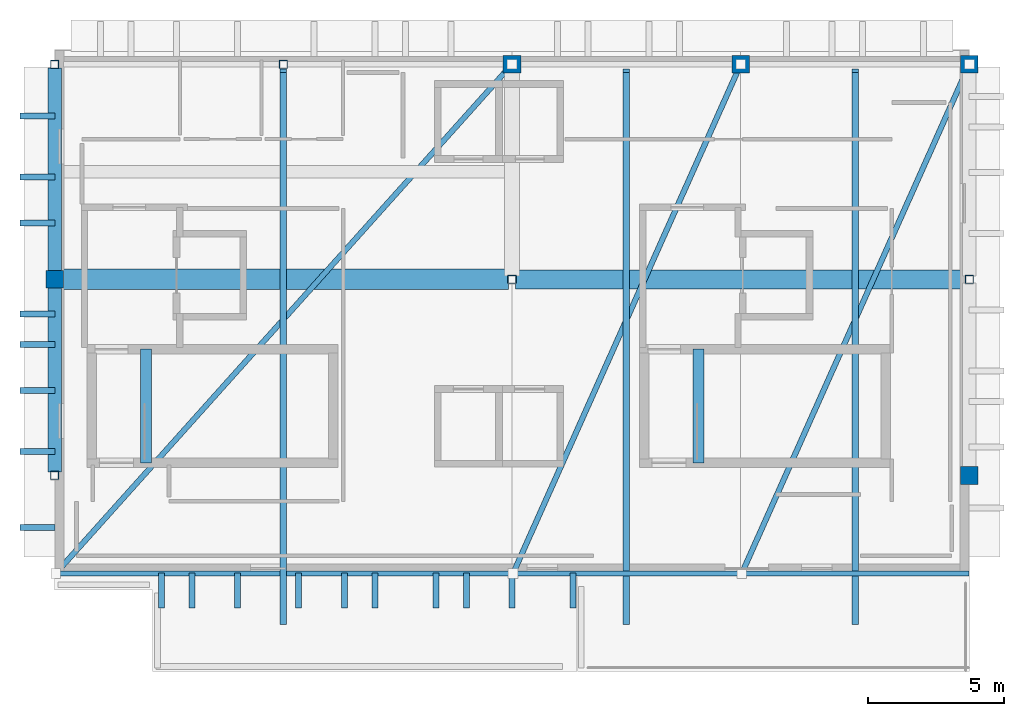
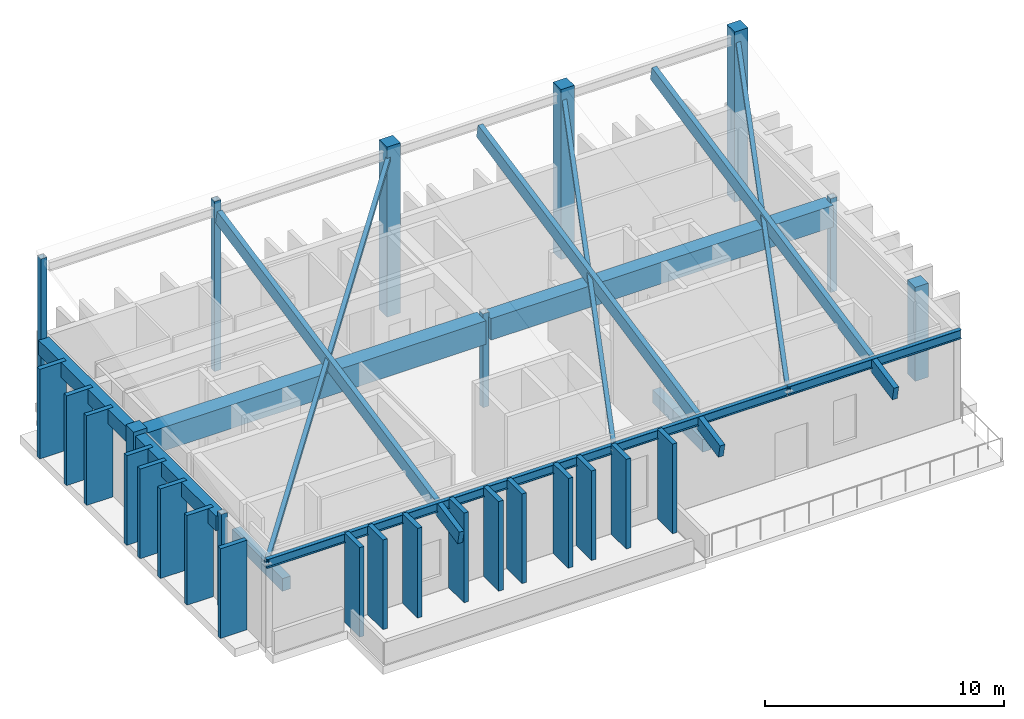
# One storey, part 1 of 5: 21 members, 12 beams, 10 columns.
"""IFC4 building model written with IfcOpenShell, lengths in metres."""

from ifc_helpers import new_model, si_unit, direction, frame, origin, origin_2d, place, context, subcontext, project, spatial, rectangle, hollow_rectangle, i_section, extrude, material, material_profile, profile_set, type_object, element, save


model = new_model("IFC4")

# Units and contexts
model_context = context("Model", 3, precision=1e-05, world=origin(), true_north=direction((0.0, 1.0)))
body_context = subcontext(model_context, "Body", "Model", "MODEL_VIEW")
ifc_project = project(units=[si_unit("LENGTHUNIT", "METRE"), si_unit("AREAUNIT", "SQUARE_METRE"), si_unit("VOLUMEUNIT", "CUBIC_METRE"), si_unit("PLANEANGLEUNIT", "RADIAN"), si_unit("MASSUNIT", "GRAM", prefix="KILO")], contexts=[model_context])

# Site, building, storey
site_placement = place(None, origin())
site = spatial("IfcSite", under=ifc_project, at=site_placement, CompositionType="ELEMENT")
building_placement = place(site_placement, origin())
building = spatial("IfcBuilding", under=site, at=building_placement, Name="Quendrovan Civic Courthouse", CompositionType="ELEMENT")
storey_placement = place(building_placement, frame((0.0, 0.0, 44.699951171875)))
storey = spatial("IfcBuildingStorey", under=building, at=storey_placement, Name="L10", CompositionType="ELEMENT", Elevation=44.699951171875)

# Columns
ifc_material_1 = material(Name="Concrete C45/55", Category="concrete")
ifc_material_profile_1 = material_profile(ifc_material_1, rectangle(XDim=0.64990234375, YDim=0.64990234375, at=origin_2d()), Name="RC-COL-650x650")
ifc_profile_set_1 = profile_set([ifc_material_profile_1], Name="Concrete C45/55")
column_type_1 = type_object("IfcColumnType", Name="COL-RC650", PredefinedType="COLUMN", material=ifc_profile_set_1)
column_1_placement = place(storey_placement, frame((33.60009765625, 102.0, 0.0), z_axis=(0.0, 0.0, 1.0), x_axis=(1.0, 0.0, 0.0)))
element("IfcColumn", 1, at=column_1_placement, inside=storey, type_object=column_type_1, Name="L10 Column 5-P", PredefinedType="COLUMN", context=body_context, shape_type="SweptSolid", body=[
    extrude(rectangle(XDim=0.64990234375, YDim=0.64990234375, at=origin_2d()), origin(), (0.0, 0.0, 1.0), 4.800048828125),
])
for number, where, z_axis, x_axis, name in (
    (2, (50.39990234375, 109.89990234375, 0.0), (0.0, 0.0, 1.0), (1.0, 0.0, 0.0), "L10 Column 7-Q"),
    (3, (58.800048828125, 109.89990234375, 0.0), (0.0, 0.0, 1.0), (1.0, 0.0, 0.0), "L10 Column 8-Q"),
):
    element("IfcColumn", number, at=place(storey_placement, frame(where, z_axis=z_axis, x_axis=x_axis)), inside=storey, type_object=column_type_1, Name=name, PredefinedType="COLUMN", context=body_context, shape_type="SweptSolid", body=[
        extrude(rectangle(XDim=0.64990234375, YDim=0.64990234375, at=origin_2d()), origin(), (0.0, 0.0, 1.0), 8.689453125),
    ])
column_2_placement = place(storey_placement, frame((67.199951171875, 94.800048828125, 0.0), z_axis=(0.0, 0.0, 1.0), x_axis=(1.0, 0.0, 0.0)))
element("IfcColumn", 4, at=column_2_placement, inside=storey, type_object=column_type_1, Name="L10 Column 9-N", PredefinedType="COLUMN", context=body_context, shape_type="SweptSolid", body=[
    extrude(rectangle(XDim=0.64990234375, YDim=0.64990234375, at=origin_2d()), origin(), (0.0, 0.0, 1.0), 4.800048828125),
])
column_3_placement = place(storey_placement, frame((67.199951171875, 109.89990234375, 0.0), z_axis=(0.0, 0.0, 1.0), x_axis=(1.0, 0.0, 0.0)))
element("IfcColumn", 5, at=column_3_placement, inside=storey, type_object=column_type_1, Name="L10 Column 9-Q", PredefinedType="COLUMN", context=body_context, shape_type="SweptSolid", body=[
    extrude(rectangle(XDim=0.64990234375, YDim=0.64990234375, at=origin_2d()), origin(), (0.0, 0.0, 1.0), 8.689453125),
])
ifc_material_2 = material(Name="Steel ASTM A500 Grade C", Category="steel")
ifc_material_profile_2 = material_profile(ifc_material_2, hollow_rectangle(XDim=0.300048828125, YDim=0.300048828125, WallThickness=0.011962890625, at=origin_2d()), Name="HSS300x300x12")
ifc_profile_set_2 = profile_set([ifc_material_profile_2], Name="Steel ASTM A500 Grade C")
column_type_2 = type_object("IfcColumnType", Name="COL-STL-HSS300S", PredefinedType="COLUMN", material=ifc_profile_set_2)
column_4_placement = place(storey_placement, frame((33.60009765625, 94.800048828125, 0.0), z_axis=(0.0, 0.0, 1.0), x_axis=(1.0, 0.0, 0.0)))
element("IfcColumn", 6, at=column_4_placement, inside=storey, type_object=column_type_2, Name="L10 Column 5-N", PredefinedType="COLUMN", context=body_context, shape_type="SweptSolid", body=[
    extrude(hollow_rectangle(XDim=0.300048828125, YDim=0.300048828125, WallThickness=0.011962890625, at=origin_2d()), origin(), (0.0, 0.0, 1.0), 4.800048828125),
])
for number, where, z_axis, x_axis, name in (
    (7, (33.60009765625, 109.89990234375, 0.0), (0.0, 0.0, 1.0), (1.0, 0.0, 0.0), "L10 Column 5-Q"),
    (8, (42.0, 109.89990234375, 0.0), (0.0, 0.0, 1.0), (1.0, 0.0, 0.0), "L10 Column 6-Q"),
):
    element("IfcColumn", number, at=place(storey_placement, frame(where, z_axis=z_axis, x_axis=x_axis)), inside=storey, type_object=column_type_2, Name=name, PredefinedType="COLUMN", context=body_context, shape_type="SweptSolid", body=[
        extrude(hollow_rectangle(XDim=0.300048828125, YDim=0.300048828125, WallThickness=0.011962890625, at=origin_2d()), origin(), (0.0, 0.0, 1.0), 8.689453125),
    ])
for number, where, z_axis, x_axis, name in (
    (9, (50.39990234375, 102.0, 0.0), (0.0, 0.0, 1.0), (1.0, 0.0, 0.0), "L10 Column 7-P"),
    (10, (67.199951171875, 102.0, 0.0), (0.0, 0.0, 1.0), (1.0, 0.0, 0.0), "L10 Column 9-P"),
):
    element("IfcColumn", number, at=place(storey_placement, frame(where, z_axis=z_axis, x_axis=x_axis)), inside=storey, type_object=column_type_2, Name=name, PredefinedType="COLUMN", context=body_context, shape_type="SweptSolid", body=[
        extrude(hollow_rectangle(XDim=0.300048828125, YDim=0.300048828125, WallThickness=0.011962890625, at=origin_2d()), origin(), (0.0, 0.0, 1.0), 4.800048828125),
    ])

# Beams
ifc_material_3 = material(Name="Western Red Cedar Glulam GL28h", Category="wood")
ifc_material_profile_3 = material_profile(ifc_material_3, rectangle(XDim=0.239990234375, YDim=0.679931640625, at=origin_2d()), Name="GL28H-240x680")
ifc_profile_set_3 = profile_set([ifc_material_profile_3], Name="Western Red Cedar Glulam GL28h")
beam_type_1 = type_object("IfcBeamType", Name="BM-GL28-680", PredefinedType="BEAM", material=ifc_profile_set_3)
for number, where, z_axis, x_axis, name in (
    (11, (42.0, 89.39990234375, 3.82861328125), (0.0, 0.980091618046, 0.198545763583), (-1.0, 0.0, 0.0), "L10 Cedar Glulam Roof Rafter Outrigger 1"),
    (12, (54.60009765625, 89.39990234375, 3.82861328125), (0.0, 0.980091618046, 0.198545763583), (-1.0, 0.0, 0.0), "L10 Cedar Glulam Roof Rafter Outrigger 2"),
    (13, (63.0, 89.39990234375, 3.82861328125), (0.0, 0.980091618046, 0.198545763583), (-1.0, 0.0, 0.0), "L10 Cedar Glulam Roof Rafter Outrigger 3"),
):
    element("IfcBeam", number, at=place(storey_placement, frame(where, z_axis=z_axis, x_axis=x_axis)), inside=storey, type_object=beam_type_1, Name=name, PredefinedType="BEAM", context=body_context, shape_type="SweptSolid", body=[
        extrude(rectangle(XDim=0.239990234375, YDim=0.679931640625, at=origin_2d()), origin(), (0.0, 0.0, 1.0), 20.671630859375),
    ])
ifc_material_4 = material(Name="Post-tensioned concrete C50/60", Category="concrete")
ifc_material_profile_4 = material_profile(ifc_material_4, rectangle(XDim=0.699951171875, YDim=1.10009765625, at=origin_2d()), Name="PT-GIRD-700x1100")
ifc_profile_set_4 = profile_set([ifc_material_profile_4], Name="Post-tensioned concrete C50/60")
beam_type_2 = type_object("IfcBeamType", Name="BM-PT1100", PredefinedType="BEAM", material=ifc_profile_set_4)
beam_1_placement = place(storey_placement, frame((50.530029296875, 102.0, 4.030029296875), z_axis=(1.0, 0.0, 0.0), x_axis=(0.0, 1.0, 0.0)))
element("IfcBeam", 14, at=beam_1_placement, inside=storey, type_object=beam_type_2, Name="L10 Girder X1197", PredefinedType="BEAM", context=body_context, shape_type="SweptSolid", body=[
    extrude(rectangle(XDim=0.699951171875, YDim=1.10009765625, at=origin_2d()), origin(), (0.0, 0.0, 1.0), 16.5400390625),
])
ifc_material_profile_5 = material_profile(ifc_material_4, rectangle(XDim=0.75, YDim=1.199951171875, at=origin_2d()), Name="PT-GIRD-750x1200")
ifc_profile_set_5 = profile_set([ifc_material_profile_5], Name="Post-tensioned concrete C50/60")
beam_type_3 = type_object("IfcBeamType", Name="BM-PT1200", PredefinedType="BEAM", material=ifc_profile_set_5)
beam_2_placement = place(storey_placement, frame((33.905029296875, 102.0, 3.97998046875), z_axis=(1.0, 0.0, 0.0), x_axis=(0.0, 1.0, 0.0)))
element("IfcBeam", 15, at=beam_2_placement, inside=storey, type_object=beam_type_3, Name="L10 Girder X1196", PredefinedType="BEAM", context=body_context, shape_type="SweptSolid", body=[
    extrude(rectangle(XDim=0.75, YDim=1.199951171875, at=origin_2d()), origin(), (0.0, 0.0, 1.0), 16.364990234375),
])
ifc_material_5 = material(Name="Concrete C40/50", Category="concrete")
ifc_material_profile_6 = material_profile(ifc_material_5, rectangle(XDim=0.39990234375, YDim=0.64990234375, at=origin_2d()), Name="RC-BM-400x650")
ifc_profile_set_6 = profile_set([ifc_material_profile_6], Name="Concrete C40/50")
beam_type_4 = type_object("IfcBeamType", Name="BM-RC650", PredefinedType="JOIST", material=ifc_profile_set_6)
for number, where, z_axis, x_axis, name in (
    (16, (36.949951171875, 95.25, -0.324951171875), (0.0, 1.0, 0.0), (-1.0, 0.0, 0.0), "L10 Stair ST1 Landing Trimmer Beam"),
    (17, (57.25, 95.25, -0.324951171875), (0.0, 1.0, 0.0), (-1.0, 0.0, 0.0), "L10 Stair ST2 Landing Trimmer Beam"),
):
    element("IfcBeam", number, at=place(storey_placement, frame(where, z_axis=z_axis, x_axis=x_axis)), inside=storey, type_object=beam_type_4, Name=name, PredefinedType="JOIST", context=body_context, shape_type="SweptSolid", body=[
        extrude(rectangle(XDim=0.39990234375, YDim=0.64990234375, at=origin_2d()), origin(), (0.0, 0.0, 1.0), 4.199951171875),
    ])
ifc_material_profile_7 = material_profile(ifc_material_5, rectangle(XDim=0.5, YDim=0.75, at=origin_2d()), Name="RC-BM-500x750")
ifc_profile_set_7 = profile_set([ifc_material_profile_7], Name="Concrete C40/50")
beam_type_5 = type_object("IfcBeamType", Name="BM-RC750", PredefinedType="SPANDREL", material=ifc_profile_set_7)
beam_3_placement = place(storey_placement, frame((33.60009765625, 94.929931640625, 4.205078125), z_axis=(0.0, 1.0, 0.0), x_axis=(-1.0, 0.0, 0.0)))
element("IfcBeam", 18, at=beam_3_placement, inside=storey, type_object=beam_type_5, Name="L10 Girder Y1198", PredefinedType="SPANDREL", context=body_context, shape_type="SweptSolid", body=[
    extrude(rectangle(XDim=0.5, YDim=0.75, at=origin_2d()), origin(), (0.0, 0.0, 1.0), 6.76513671875),
])
beam_4_placement = place(storey_placement, frame((33.60009765625, 102.304931640625, 4.205078125), z_axis=(0.0, 1.0, 0.0), x_axis=(-1.0, 0.0, 0.0)))
element("IfcBeam", 19, at=beam_4_placement, inside=storey, type_object=beam_type_5, Name="L10 Girder Y1199", PredefinedType="SPANDREL", context=body_context, shape_type="SweptSolid", body=[
    extrude(rectangle(XDim=0.5, YDim=0.75, at=origin_2d()), origin(), (0.0, 0.0, 1.0), 7.465087890625),
])
ifc_material_6 = material(Name="Steel ASTM A992 Grade 50", Category="steel")
ifc_material_profile_8 = material_profile(ifc_material_6, i_section(OverallWidth=0.18994140625, OverallDepth=0.45703125, WebThickness=0.009033203125, FlangeThickness=0.014404296875, at=origin_2d()), Name="W460x74")
ifc_profile_set_8 = profile_set([ifc_material_profile_8], Name="Steel ASTM A992 Grade 50")
beam_type_6 = type_object("IfcBeamType", Name="BM-STL-W460", PredefinedType="BEAM", material=ifc_profile_set_8)
beam_5_placement = place(storey_placement, frame((33.6201171875, 91.199951171875, 4.3515625), z_axis=(1.0, 0.0, 0.0), x_axis=(0.0, 1.0, 0.0)))
element("IfcBeam", 20, at=beam_5_placement, inside=storey, type_object=beam_type_6, Name="L10 Roof Eave Beam 1", PredefinedType="BEAM", context=body_context, shape_type="SweptSolid", body=[
    extrude(i_section(OverallWidth=0.18994140625, OverallDepth=0.45703125, WebThickness=0.009033203125, FlangeThickness=0.014404296875, at=origin_2d()), origin(), (0.0, 0.0, 1.0), 16.759765625),
])
beam_6_placement = place(storey_placement, frame((50.419921875, 91.199951171875, 4.3515625), z_axis=(1.0, 0.0, 0.0), x_axis=(0.0, 1.0, 0.0)))
element("IfcBeam", 21, at=beam_6_placement, inside=storey, type_object=beam_type_6, Name="L10 Roof Eave Beam 2", PredefinedType="BEAM", context=body_context, shape_type="SweptSolid", body=[
    extrude(i_section(OverallWidth=0.18994140625, OverallDepth=0.45703125, WebThickness=0.009033203125, FlangeThickness=0.014404296875, at=origin_2d()), origin(), (0.0, 0.0, 1.0), 8.360107421875),
])
beam_7_placement = place(storey_placement, frame((58.820068359375, 91.199951171875, 4.3515625), z_axis=(1.0, 0.0, 0.0), x_axis=(0.0, 1.0, 0.0)))
element("IfcBeam", 22, at=beam_7_placement, inside=storey, type_object=beam_type_6, Name="L10 Roof Eave Beam 3", PredefinedType="BEAM", context=body_context, shape_type="SweptSolid", body=[
    extrude(i_section(OverallWidth=0.18994140625, OverallDepth=0.45703125, WebThickness=0.009033203125, FlangeThickness=0.014404296875, at=origin_2d()), origin(), (0.0, 0.0, 1.0), 8.35986328125),
])

# Members
ifc_material_profile_9 = material_profile(ifc_material_2, hollow_rectangle(XDim=0.199951171875, YDim=0.199951171875, WallThickness=0.010009765625, at=origin_2d()), Name="HSS200x200x10")
ifc_profile_set_9 = profile_set([ifc_material_profile_9], Name="Steel ASTM A500 Grade C")
member_type_1 = type_object("IfcMemberType", Name="MEM-BRC-HSS200", PredefinedType="BRACE", material=ifc_profile_set_9)
member_placement = place(storey_placement, frame((33.639892578125, 91.199951171875, 4.3515625), z_axis=(0.660183125325, 0.736598151237, 0.146906108209), x_axis=(-0.744677574351, 0.667424385425, 0.0)))
element("IfcMember", 23, at=member_placement, inside=storey, type_object=member_type_1, Name="L10 Roof Diagonal Brace 1", PredefinedType="BRACE", context=body_context, shape_type="SweptSolid", body=[
    extrude(hollow_rectangle(XDim=0.199951171875, YDim=0.199951171875, WallThickness=0.010009765625, at=origin_2d()), origin(), (0.0, 0.0, 1.0), 25.386962890625),
])
for number, where, z_axis, x_axis, name in (
    (24, (50.43994140625, 91.199951171875, 4.3515625), (0.401534602153, 0.898155618723, 0.179126904258), (-0.912921228057, 0.408135800148, 0.0), "L10 Roof Diagonal Brace 2"),
    (25, (58.840087890625, 91.199951171875, 4.3515625), (0.401524766638, 0.898159847575, 0.179127747654), (-0.912925668924, 0.40812586664, 0.0), "L10 Roof Diagonal Brace 3"),
):
    element("IfcMember", number, at=place(storey_placement, frame(where, z_axis=z_axis, x_axis=x_axis)), inside=storey, type_object=member_type_1, Name=name, PredefinedType="BRACE", context=body_context, shape_type="SweptSolid", body=[
        extrude(hollow_rectangle(XDim=0.199951171875, YDim=0.199951171875, WallThickness=0.010009765625, at=origin_2d()), origin(), (0.0, 0.0, 1.0), 20.8203125),
    ])
ifc_material_7 = material(Name="Precast concrete C45/55", Category="concrete")
ifc_material_profile_10 = material_profile(ifc_material_7, rectangle(XDim=0.219970703125, YDim=1.280029296875, at=origin_2d()), Name="PC-FIN-220x1280")
ifc_profile_set_10 = profile_set([ifc_material_profile_10], Name="Precast concrete C45/55")
member_type_2 = type_object("IfcMemberType", Name="MEM-PC-FIN1280", PredefinedType="USERDEFINED", material=ifc_profile_set_10)
for number, where, z_axis, x_axis, name in (
    (26, (52.639892578125, 90.568115234375, 0.0), (0.0, 0.0, 1.0), (-1.0, 0.0, 0.0), "L10 Precast Concrete Facade Fin 0274"),
    (27, (50.39990234375, 90.568115234375, 0.0), (0.0, 0.0, 1.0), (-1.0, 0.0, 0.0), "L10 Precast Concrete Facade Fin 0275"),
    (28, (48.719970703125, 90.568115234375, 0.0), (0.0, 0.0, 1.0), (-1.0, 0.0, 0.0), "L10 Precast Concrete Facade Fin 0276"),
    (29, (47.60009765625, 90.568115234375, 0.0), (0.0, 0.0, 1.0), (-1.0, 0.0, 0.0), "L10 Precast Concrete Facade Fin 0277"),
    (30, (45.360107421875, 90.568115234375, 0.0), (0.0, 0.0, 1.0), (-1.0, 0.0, 0.0), "L10 Precast Concrete Facade Fin 0278"),
    (31, (44.239990234375, 90.568115234375, 0.0), (0.0, 0.0, 1.0), (-1.0, 0.0, 0.0), "L10 Precast Concrete Facade Fin 0279"),
    (32, (42.56005859375, 90.568115234375, 0.0), (0.0, 0.0, 1.0), (-1.0, 0.0, 0.0), "L10 Precast Concrete Facade Fin 0280"),
    (33, (40.320068359375, 90.568115234375, 0.0), (0.0, 0.0, 1.0), (-1.0, 0.0, 0.0), "L10 Precast Concrete Facade Fin 0281"),
    (34, (38.639892578125, 90.568115234375, 0.0), (0.0, 0.0, 1.0), (-1.0, 0.0, 0.0), "L10 Precast Concrete Facade Fin 0282"),
    (35, (37.52001953125, 90.568115234375, 0.0), (0.0, 0.0, 1.0), (-1.0, 0.0, 0.0), "L10 Precast Concrete Facade Fin 0283"),
    (36, (32.968017578125, 92.8798828125, 0.0), (0.0, 0.0, 1.0), (0.0, 1.0, 0.0), "L10 Precast Concrete Facade Fin 0284"),
    (37, (32.968017578125, 95.679931640625, 0.0), (0.0, 0.0, 1.0), (0.0, 1.0, 0.0), "L10 Precast Concrete Facade Fin 0285"),
    (38, (32.968017578125, 97.919921875, 0.0), (0.0, 0.0, 1.0), (0.0, 1.0, 0.0), "L10 Precast Concrete Facade Fin 0286"),
    (39, (32.968017578125, 99.60009765625, 0.0), (0.0, 0.0, 1.0), (0.0, 1.0, 0.0), "L10 Precast Concrete Facade Fin 0287"),
    (40, (32.968017578125, 100.719970703125, 0.0), (0.0, 0.0, 1.0), (0.0, 1.0, 0.0), "L10 Precast Concrete Facade Fin 0288"),
    (41, (32.968017578125, 104.080078125, 0.0), (0.0, 0.0, 1.0), (0.0, 1.0, 0.0), "L10 Precast Concrete Facade Fin 0289"),
    (42, (32.968017578125, 105.760009765625, 0.0), (0.0, 0.0, 1.0), (0.0, 1.0, 0.0), "L10 Precast Concrete Facade Fin 0290"),
    (43, (32.968017578125, 108.0, 0.0), (0.0, 0.0, 1.0), (0.0, 1.0, 0.0), "L10 Precast Concrete Facade Fin 0291"),
):
    element("IfcMember", number, at=place(storey_placement, frame(where, z_axis=z_axis, x_axis=x_axis)), inside=storey, type_object=member_type_2, Name=name, ObjectType="PRECAST FACADE FIN", PredefinedType="USERDEFINED", context=body_context, shape_type="SweptSolid", body=[
        extrude(rectangle(XDim=0.219970703125, YDim=1.280029296875, at=origin_2d()), origin(), (0.0, 0.0, 1.0), 4.580078125),
    ])

save(model, "model.ifc")
